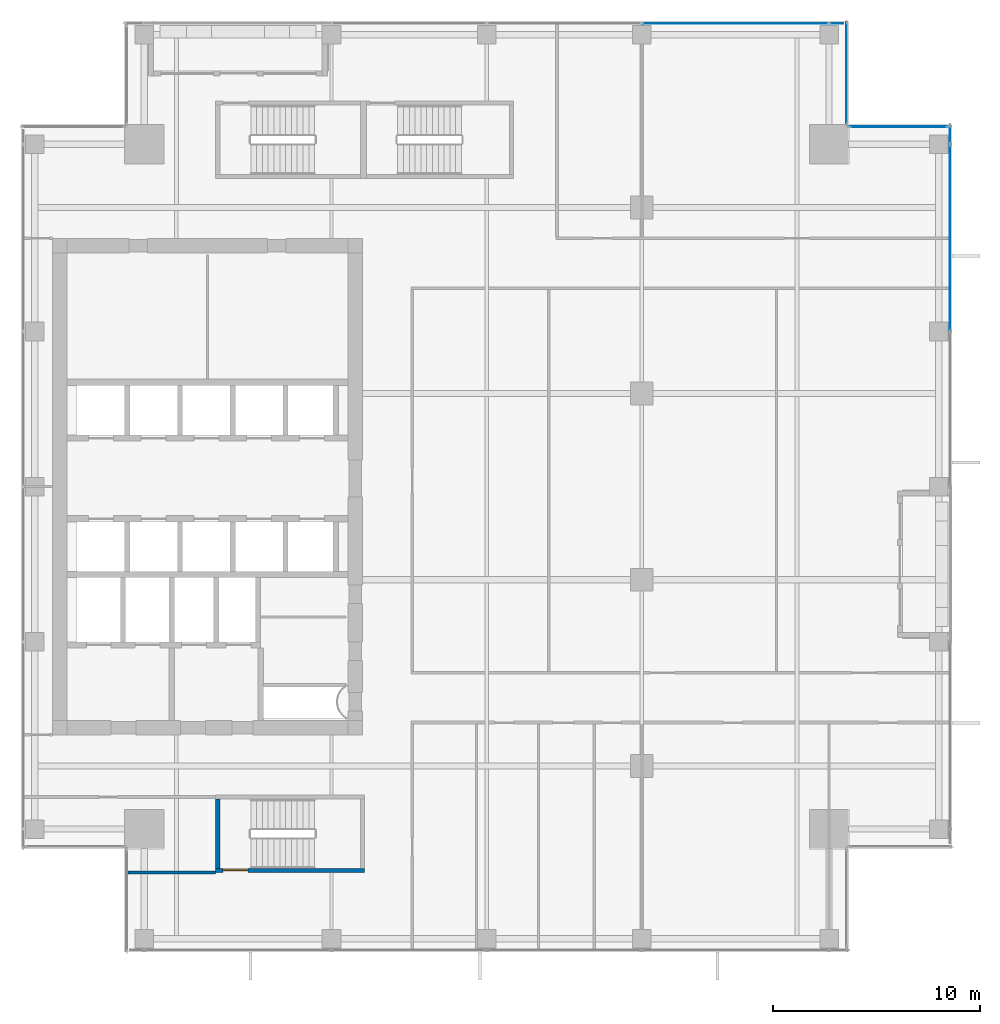
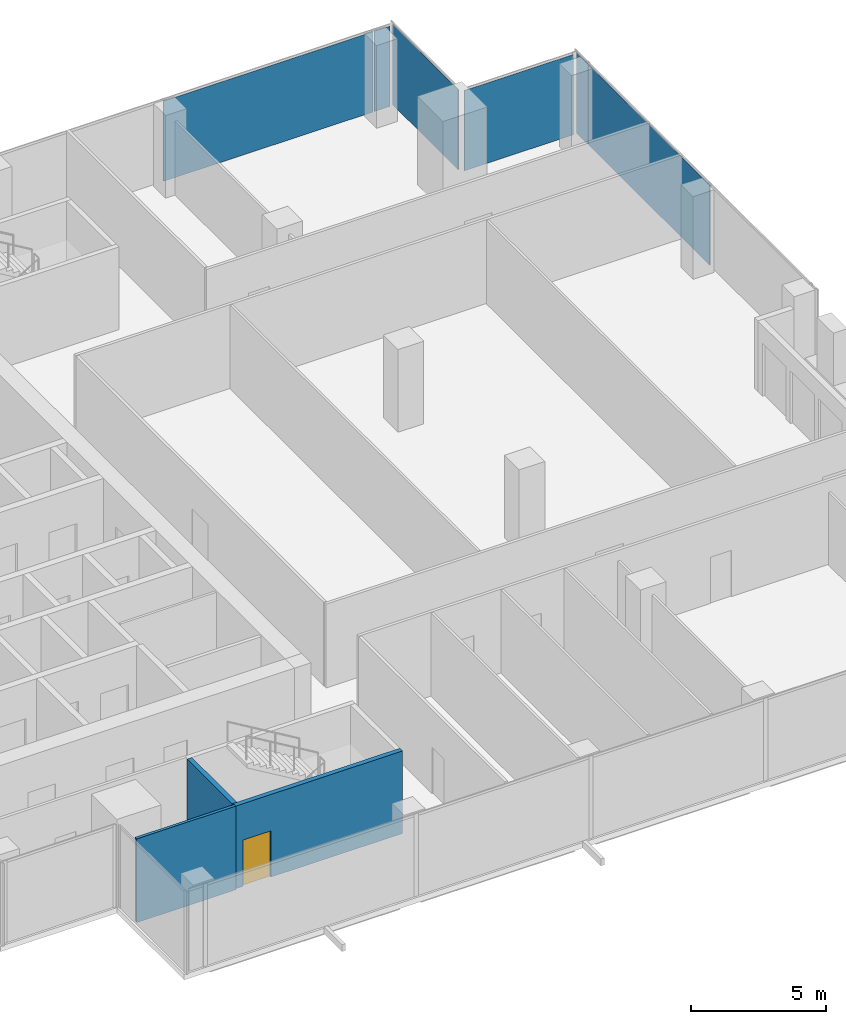
# One storey, part 30 of 36: 6 plates, 3 walls, 1 door, 1 opening, 4 elements without a shape of their own.
"""IFC4 building model written with IfcOpenShell, lengths in metres."""

import ifcopenshell
import ifcopenshell.guid

model = None  # the IFC model being written
_history = None  # IfcOwnerHistory: only IFC2X3 demands one
_inside = {}  # id of a spatial element -> (the spatial element, [elements in it])
_under = {}  # id of a project, library or spatial element -> (it, [spatial elements below it])
_declared = {}  # id of a project -> (the project, [libraries it declares])
_typed = {}  # id of a type object -> (the type object, [elements of that type])
_made_of = {}  # id of a material, layer set ... -> (it, [elements and type objects made of it])


def new_model(schema):
    """Start an empty IFC model of exactly this schema.

    Asked for "IFC4X3", IfcOpenShell would pick the latest addendum, in which some entities
    have other attributes; the version numbers below select the first issue.
    IFC2X3 requires an IfcOwnerHistory on every rooted entity: one is made here for all.
    """
    global model, _history
    if schema == "IFC4X3":
        model = ifcopenshell.file(schema_version=(4, 3, 0, 0))
    else:
        model = ifcopenshell.file(schema=schema)
    _inside.clear()
    _under.clear()
    _declared.clear()
    _typed.clear()
    _made_of.clear()
    _history = None
    if model.schema == "IFC2X3":
        org = make("IfcOrganization", Name="unknown")
        user = make(
            "IfcPersonAndOrganization",
            ThePerson=make("IfcPerson", FamilyName="unknown"),
            TheOrganization=org,
        )
        app = make(
            "IfcApplication",
            ApplicationDeveloper=org,
            Version="unknown",
            ApplicationFullName="unknown",
            ApplicationIdentifier="unknown",
        )
        _history = make(
            "IfcOwnerHistory",
            OwningUser=user,
            OwningApplication=app,
            ChangeAction="ADDED",
            CreationDate=0,
        )
    return model


def make(cls, **values):
    """One entity of the class cls with the attributes given. An attribute that is None is left unset."""
    return model.create_entity(
        cls, **{name: value for name, value in values.items() if value is not None}
    )


def rooted(cls, **values):
    """An entity with a GlobalId (a new one), such as an element, a storey or a relation."""
    return make(cls, GlobalId=ifcopenshell.guid.new(), OwnerHistory=_history, **values)


def si_unit(unit_type, name, prefix=None):
    """IfcSIUnit, for example si_unit("LENGTHUNIT", "METRE", prefix="MILLI")."""
    return make("IfcSIUnit", UnitType=unit_type, Prefix=prefix, Name=name)


def assignment(units):
    """IfcUnitAssignment: the units of a project."""
    return None if units is None else make("IfcUnitAssignment", Units=units)


def point(xyz):
    """IfcCartesianPoint."""
    return None if xyz is None else make("IfcCartesianPoint", Coordinates=xyz)


def direction(xyz):
    """IfcDirection."""
    return None if xyz is None else make("IfcDirection", DirectionRatios=xyz)


def frame(location, z_axis=None, x_axis=None):
    """IfcAxis2Placement3D, a coordinate frame: its origin and axes. An axis left out is left unset."""
    return make(
        "IfcAxis2Placement3D",
        Location=point(location),
        Axis=direction(z_axis),
        RefDirection=direction(x_axis),
    )


def frame_2d(location, x_axis=None):
    """IfcAxis2Placement2D, a coordinate frame in the plane: its origin and x axis."""
    return make(
        "IfcAxis2Placement2D", Location=point(location), RefDirection=direction(x_axis)
    )


def origin():
    """The frame at (0, 0, 0) with its axes left unset."""
    return frame((0.0, 0.0, 0.0))


def origin_2d():
    """The frame at (0, 0) in the plane with its x axis left unset."""
    return frame_2d((0.0, 0.0))


def place(relative_to, where):
    """IfcLocalPlacement: puts the frame where relative to a parent placement (None: the world)."""
    return make(
        "IfcLocalPlacement", PlacementRelTo=relative_to, RelativePlacement=where
    )


def context(
    kind, dimensions, precision=None, world=None, true_north=None, identifier=None
):
    """IfcGeometricRepresentationContext, for example the 3D "Model" context."""
    return make(
        "IfcGeometricRepresentationContext",
        ContextIdentifier=identifier,
        ContextType=kind,
        CoordinateSpaceDimension=dimensions,
        Precision=precision,
        WorldCoordinateSystem=world,
        TrueNorth=true_north,
    )


def subcontext(parent, identifier, kind, view, scale=None):
    """IfcGeometricRepresentationSubContext, for example "Body" below "Model"."""
    return make(
        "IfcGeometricRepresentationSubContext",
        ContextIdentifier=identifier,
        ContextType=kind,
        ParentContext=parent,
        TargetScale=scale,
        TargetView=view,
    )


def project(units=None, contexts=None):
    """IfcProject with its units and contexts."""
    return rooted(
        "IfcProject",
        Name="project",
        RepresentationContexts=contexts,
        UnitsInContext=assignment(units),
    )


def spatial(cls, under=None, at=None, **own):
    """A site, building, storey or space (cls), placed at a placement, below another one or the project."""
    s = rooted(cls, ObjectPlacement=at, **own)
    if under is not None:
        _under.setdefault(under.id(), (under, []))[1].append(s)
    return s


def profile(cls, at=None, kind="AREA", **sizes):
    """A parametric profile (cls). Its sizes go by their IFC names, for example OverallWidth=200.0."""
    return make(cls, ProfileType=kind, Position=at, **sizes)


def rectangle(**sizes):
    """IfcRectangleProfileDef."""
    return profile("IfcRectangleProfileDef", **sizes)


def extrude(swept, where, along, depth):
    """IfcExtrudedAreaSolid: the profile swept, set in the frame where, extruded along a direction by depth."""
    return make(
        "IfcExtrudedAreaSolid",
        SweptArea=swept,
        Position=where,
        ExtrudedDirection=direction(along),
        Depth=depth,
    )


def shape(context_of_items, identifier, shape_type, items):
    """IfcShapeRepresentation: the items that make up one representation, for example the "Body"."""
    return make(
        "IfcShapeRepresentation",
        ContextOfItems=context_of_items,
        RepresentationIdentifier=identifier,
        RepresentationType=shape_type,
        Items=items,
    )


def source(mapping_origin, context_of_items, identifier, shape_type, items):
    """IfcRepresentationMap: a shape defined once, which mapped items show again and again."""
    return make(
        "IfcRepresentationMap",
        MappingOrigin=mapping_origin,
        MappedRepresentation=shape(context_of_items, identifier, shape_type, items),
    )


def transform(
    local_origin,
    x_axis=None,
    y_axis=None,
    z_axis=None,
    scale=None,
    scale2=None,
    scale3=None,
    uniform=True,
):
    """IfcCartesianTransformationOperator3D, or its non-uniform kind. x_axis, y_axis, z_axis: its Axis1, 2, 3."""
    if uniform:
        return make(
            "IfcCartesianTransformationOperator3D",
            Axis1=direction(x_axis),
            Axis2=direction(y_axis),
            LocalOrigin=point(local_origin),
            Scale=scale,
            Axis3=direction(z_axis),
        )
    return make(
        "IfcCartesianTransformationOperator3DnonUniform",
        Axis1=direction(x_axis),
        Axis2=direction(y_axis),
        LocalOrigin=point(local_origin),
        Scale=scale,
        Axis3=direction(z_axis),
        Scale2=scale2,
        Scale3=scale3,
    )


def mapped(mapping_source, mapping_target):
    """IfcMappedItem: shows the shape of a source again, moved by a transform."""
    return make(
        "IfcMappedItem", MappingSource=mapping_source, MappingTarget=mapping_target
    )


def material(Name=None, Category=None):
    """IfcMaterial."""
    return make("IfcMaterial", Name=Name, Category=Category)


def layer(
    of_material, thickness, ventilated=None, Name=None, Category=None, Priority=None
):
    """IfcMaterialLayer: one layer of a wall or slab, of a material (None: an air gap)."""
    return make(
        "IfcMaterialLayer",
        Material=of_material,
        LayerThickness=thickness,
        IsVentilated=ventilated,
        Name=Name,
        Category=Category,
        Priority=Priority,
    )


def layer_set(layers, Name=None):
    """IfcMaterialLayerSet."""
    return make("IfcMaterialLayerSet", MaterialLayers=layers, LayerSetName=Name)


def made_of(thing, what):
    """Note that an element or type object is made of a material, layer set ...; save() writes the relation."""
    if what is not None:
        _made_of.setdefault(what.id(), (what, []))[1].append(thing)
    return thing


def type_object(cls, material=None, **own):
    """A type object (cls), such as IfcWallType, which elements share."""
    return made_of(rooted(cls, **own), material)


def element(
    cls,
    number,
    at=None,
    inside=None,
    cuts=None,
    type_object=None,
    material=None,
    context=None,
    identifier="Body",
    shape_type=None,
    held_by="IfcProductDefinitionShape",
    body=None,
    shapes=None,
    **own,
):
    """One element of the class cls, such as IfcWall. Its Tag is "e" and its number.

    at: its placement. inside: the storey or other place that contains it. cuts: it is an
    opening in that element (IfcRelVoidsElement). A single representation is given by context,
    identifier, shape_type and body (its items); several are given by shapes. held_by: the class
    of the entity that holds the representations. save() writes the other relations.
    """
    e = rooted(cls, Tag="e%d" % number, ObjectPlacement=at, **own)
    if body is not None:
        shapes = [shape(context, identifier, shape_type, body)]
    if shapes is not None:
        e.Representation = make(held_by, Representations=shapes)
    if inside is not None:
        _inside.setdefault(inside.id(), (inside, []))[1].append(e)
    if cuts is not None:
        rooted(
            "IfcRelVoidsElement", RelatingBuildingElement=cuts, RelatedOpeningElement=e
        )
    if type_object is not None:
        _typed.setdefault(type_object.id(), (type_object, []))[1].append(e)
    return made_of(e, material)


def fill(opening, filler):
    """IfcRelFillsElement: the door or window that sits in an opening."""
    return rooted(
        "IfcRelFillsElement",
        RelatingOpeningElement=opening,
        RelatedBuildingElement=filler,
    )


def aggregate(whole, parts):
    """IfcRelAggregates: a whole, such as a stair, and the parts it consists of."""
    return rooted("IfcRelAggregates", RelatingObject=whole, RelatedObjects=parts)


def save(model, path):
    """Write the relations noted so far, then the file.

    IfcRelAggregates (storeys below a building ...), IfcRelContainedInSpatialStructure (elements
    in a storey), IfcRelDefinesByType, IfcRelAssociatesMaterial and IfcRelDeclares: one each for
    every whole, place, type object, material and project.
    """
    for whole, parts in _under.values():
        aggregate(whole, parts)
    for where, things in _inside.values():
        rooted(
            "IfcRelContainedInSpatialStructure",
            RelatedElements=things,
            RelatingStructure=where,
        )
    for kind, things in _typed.values():
        rooted("IfcRelDefinesByType", RelatedObjects=things, RelatingType=kind)
    for what, things in _made_of.values():
        rooted("IfcRelAssociatesMaterial", RelatedObjects=things, RelatingMaterial=what)
    for by, libraries in _declared.values():
        rooted("IfcRelDeclares", RelatingContext=by, RelatedDefinitions=libraries)
    model.write(path)


model = new_model("IFC4")

# Units and contexts
model_context = context("Model", 3, precision=1e-05, world=origin(), true_north=direction((0.0, 1.0)))
body_context = subcontext(model_context, "Body", "Model", "MODEL_VIEW")
ifc_project = project(units=[si_unit("LENGTHUNIT", "METRE"), si_unit("AREAUNIT", "SQUARE_METRE"), si_unit("VOLUMEUNIT", "CUBIC_METRE"), si_unit("PLANEANGLEUNIT", "RADIAN"), si_unit("MASSUNIT", "GRAM", prefix="KILO")], contexts=[model_context])

# Site, building, storey
site_placement = place(None, origin())
site = spatial("IfcSite", under=ifc_project, at=site_placement, CompositionType="ELEMENT")
building_placement = place(site_placement, origin())
building = spatial("IfcBuilding", under=site, at=building_placement, Name="Khomas Fold Tower", CompositionType="ELEMENT")
storey_placement = place(building_placement, frame((0.0, 0.0, 230.199951171875)))
storey = spatial("IfcBuildingStorey", under=building, at=storey_placement, Name="L51", CompositionType="ELEMENT", Elevation=230.199951171875)

# Curtain wall, plate
ifc_material_1 = material(Name="Aluminium framed double glazing", Category="aluminium")
curtain_wall_type = type_object("IfcCurtainWallType", Name="SK-Unitised clear-glass wall, office floors CW2", PredefinedType="NOTDEFINED", material=ifc_material_1)
curtain_wall_1_placement = place(storey_placement, origin())
curtain_wall_1 = element("IfcCurtainWall", 1, at=curtain_wall_1_placement, inside=storey, type_object=curtain_wall_type, Name="CW2 run L51 06-0", PredefinedType="NOTDEFINED")
ifc_material_2 = material(Name="Clear double glazed unit")
ifc_layer_1 = layer(ifc_material_2, 0.030029296875)
ifc_layer_set_1 = layer_set([ifc_layer_1], Name="Clear double glazed unit")
plate_type = type_object("IfcPlateType", Name="SK-Unitised clear-glass wall, office floors glass panel CW2-P", PredefinedType="CURTAIN_PANEL", material=ifc_layer_set_1)
shared_shape_1 = source(origin(), body_context, "Body", "SweptSolid", [
    extrude(rectangle(XDim=0.659912109375, YDim=0.030029296875, at=origin_2d()), origin(), (0.0, 0.0, 1.0), 3.639892578125),
])
plate_1_placement = place(storey_placement, frame((43.909912109375, 49.39990234375, 0.0), z_axis=(0.0, 0.0, 1.0), x_axis=(-1.0, 0.0, 0.0)))
plate_1 = element("IfcPlate", 2, at=plate_1_placement, type_object=plate_type, Name="CW2 glass panel 1", PredefinedType="CURTAIN_PANEL", context=body_context, shape_type="MappedRepresentation", body=[
    mapped(shared_shape_1, transform((0.0, 0.0, 0.0))),
])

# Curtain wall, plates
curtain_wall_2_placement = place(storey_placement, origin())
curtain_wall_2 = element("IfcCurtainWall", 3, at=curtain_wall_2_placement, inside=storey, type_object=curtain_wall_type, Name="CW2 run L51 03-1", PredefinedType="NOTDEFINED")
shared_shape_2 = source(origin(), body_context, "Body", "SweptSolid", [
    extrude(rectangle(XDim=0.860107421875, YDim=0.030029296875, at=origin_2d()), origin(), (0.0, 0.0, 1.0), 3.639892578125),
])
plate_2_placement = place(storey_placement, frame((49.39990234375, 44.010009765625, 0.0), z_axis=(0.0, 0.0, 1.0), x_axis=(0.0, 1.0, 0.0)))
plate_2 = element("IfcPlate", 4, at=plate_2_placement, type_object=plate_type, Name="CW2 glass panel 4", PredefinedType="CURTAIN_PANEL", context=body_context, shape_type="MappedRepresentation", body=[
    mapped(shared_shape_2, transform((0.0, 0.0, 0.0))),
])
shared_shape_3 = source(origin(), body_context, "Body", "SweptSolid", [
    extrude(rectangle(XDim=8.989990234375, YDim=0.030029296875, at=origin_2d()), origin(), (0.0, 0.0, 1.0), 3.639892578125),
])
plate_3_placement = place(storey_placement, frame((49.39990234375, 39.02490234375, 0.0), z_axis=(0.0, 0.0, 1.0), x_axis=(0.0, 1.0, 0.0)))
plate_3 = element("IfcPlate", 5, at=plate_3_placement, type_object=plate_type, Name="CW2 glass panel 3", PredefinedType="CURTAIN_PANEL", context=body_context, shape_type="MappedRepresentation", body=[
    mapped(shared_shape_3, transform((0.0, 0.0, 0.0))),
])
aggregate(curtain_wall_2, [plate_3, plate_2])

# Plate
plate_4_placement = place(storey_placement, frame((39.02490234375, 49.39990234375, 0.0), z_axis=(0.0, 0.0, 1.0), x_axis=(-1.0, 0.0, 0.0)))
plate_4 = element("IfcPlate", 6, at=plate_4_placement, type_object=plate_type, Name="CW2 glass panel 2", PredefinedType="CURTAIN_PANEL", context=body_context, shape_type="MappedRepresentation", body=[
    mapped(shared_shape_3, transform((0.0, 0.0, 0.0))),
])

aggregate(curtain_wall_1, [plate_1, plate_4])

# Curtain wall, plate
curtain_wall_3_placement = place(storey_placement, origin())
curtain_wall_3 = element("IfcCurtainWall", 7, at=curtain_wall_3_placement, inside=storey, type_object=curtain_wall_type, Name="CW2 corner return L51 04", PredefinedType="NOTDEFINED")
shared_shape_4 = source(origin(), body_context, "Body", "SweptSolid", [
    extrude(rectangle(XDim=4.679931640625, YDim=0.030029296875, at=origin_2d()), origin(), (0.0, 0.0, 1.0), 3.639892578125),
])
plate_5_placement = place(storey_placement, frame((46.89990234375, 44.39990234375, 0.0), z_axis=(0.0, 0.0, 1.0), x_axis=(-1.0, 0.0, 0.0)))
plate_5 = element("IfcPlate", 8, at=plate_5_placement, type_object=plate_type, Name="CW2 glass panel 1", PredefinedType="CURTAIN_PANEL", context=body_context, shape_type="MappedRepresentation", body=[
    mapped(shared_shape_4, transform((0.0, 0.0, 0.0))),
])
aggregate(curtain_wall_3, [plate_5])

curtain_wall_4_placement = place(storey_placement, origin())
curtain_wall_4 = element("IfcCurtainWall", 9, at=curtain_wall_4_placement, inside=storey, type_object=curtain_wall_type, Name="CW2 corner return L51 05", PredefinedType="NOTDEFINED")
shared_shape_5 = source(origin(), body_context, "Body", "SweptSolid", [
    extrude(rectangle(XDim=4.8798828125, YDim=0.030029296875, at=origin_2d()), origin(), (0.0, 0.0, 1.0), 3.639892578125),
])
plate_6_placement = place(storey_placement, frame((44.39990234375, 47.0, 0.0), z_axis=(0.0, 0.0, 1.0), x_axis=(0.0, 1.0, 0.0)))
plate_6 = element("IfcPlate", 10, at=plate_6_placement, type_object=plate_type, Name="CW2 glass panel 1", PredefinedType="CURTAIN_PANEL", context=body_context, shape_type="MappedRepresentation", body=[
    mapped(shared_shape_5, transform((0.0, 0.0, 0.0))),
])
aggregate(curtain_wall_4, [plate_6])

# Wall, opening, door
ifc_material_3 = material(Name="Concrete C50/60", Category="concrete")
ifc_layer_2 = layer(ifc_material_3, 0.199951171875)
ifc_layer_set_2 = layer_set([ifc_layer_2], Name="Concrete C50/60")
wall_type_1 = type_object("IfcWallType", Name="Stair wall 200", PredefinedType="SHEAR", material=ifc_layer_set_2)
shared_shape_6 = source(origin(), body_context, "Body", "SweptSolid", [
    extrude(rectangle(XDim=7.2001953125, YDim=0.199951171875, at=frame_2d((3.60009765625, 0.0))), origin(), (0.0, 0.0, 1.0), 3.75),
])
wall_1_placement = place(storey_placement, frame((13.89990234375, 8.449951171875, 0.0), z_axis=(0.0, 0.0, 1.0), x_axis=(1.0, 0.0, 0.0)))
wall_1 = element("IfcWall", 11, at=wall_1_placement, inside=storey, type_object=wall_type_1, Name="Stair wall SW-ST2-S", PredefinedType="SHEAR", context=body_context, shape_type="MappedRepresentation", body=[
    mapped(shared_shape_6, transform((0.0, 0.0, 0.0))),
])
shared_shape_7 = source(origin(), body_context, "Body", "SweptSolid", [
    extrude(rectangle(XDim=1.199951171875, YDim=2.10009765625, at=frame_2d((0.60009765625, 1.050048828125))), frame((0.0, 0.10986328125, 0.0), z_axis=(0.0, -1.0, 0.0), x_axis=(1.0, 0.0, 0.0)), (0.0, 0.0, 1.0), 0.219970703125),
])
opening_placement = place(wall_1_placement, frame((0.35009765625, 0.0, 0.0)))
opening = element("IfcOpeningElement", 12, at=opening_placement, cuts=wall_1, Name="Opening SD-ST2", PredefinedType="OPENING", context=body_context, shape_type="MappedRepresentation", body=[
    mapped(shared_shape_7, transform((0.0, 0.0, 0.0))),
])
ifc_material_4 = material(Name="Steel door leaf", Category="steel")
door_type = type_object("IfcDoorType", Name="Stair door 1200x2100 right-hand", OperationType="SINGLE_SWING_RIGHT", PredefinedType="DOOR", material=ifc_material_4)
shared_shape_8 = source(origin(), body_context, "Body", "SweptSolid", [
    extrude(rectangle(XDim=1.199951171875, YDim=2.10009765625, at=frame_2d((0.60009765625, 1.050048828125))), frame((0.0, 0.02490234375, 0.0), z_axis=(0.0, -1.0, 0.0), x_axis=(1.0, 0.0, 0.0)), (0.0, 0.0, 1.0), 0.050048828125),
])
door_placement = place(opening_placement, origin())
door = element("IfcDoor", 13, at=door_placement, inside=storey, type_object=door_type, Name="Stair door", OperationType="SINGLE_SWING_RIGHT", OverallHeight=2.10009765625, OverallWidth=1.199951171875, PredefinedType="DOOR", context=body_context, shape_type="MappedRepresentation", body=[
    mapped(shared_shape_8, transform((0.0, 0.0, 0.0))),
])
fill(opening, door)

# Walls
shared_shape_9 = source(origin(), body_context, "Body", "SweptSolid", [
    extrude(rectangle(XDim=3.349853515625, YDim=0.199951171875, at=frame_2d((1.6748046875, 0.0))), origin(), (0.0, 0.0, 1.0), 3.75),
])
wall_2_placement = place(storey_placement, frame((14.0, 8.550048828125, 0.0), z_axis=(0.0, 0.0, 1.0), x_axis=(0.0, 1.0, 0.0)))
element("IfcWall", 14, at=wall_2_placement, inside=storey, type_object=wall_type_1, Name="Stair wall SW-ST2-W", PredefinedType="SHEAR", context=body_context, shape_type="MappedRepresentation", body=[
    mapped(shared_shape_9, transform((0.0, 0.0, 0.0))),
])
ifc_material_5 = material(Name="Plasterboard partition")
ifc_layer_3 = layer(ifc_material_5, 0.125)
ifc_layer_set_3 = layer_set([ifc_layer_3], Name="Plasterboard partition")
wall_type_2 = type_object("IfcWallType", Name="Partition PW2 125", PredefinedType="PARTITIONING", material=ifc_layer_set_3)
shared_shape_10 = source(origin(), body_context, "Body", "SweptSolid", [
    extrude(rectangle(XDim=4.25, YDim=0.125, at=frame_2d((2.125, 0.0))), origin(), (0.0, 0.0, 1.0), 3.800048828125),
])
wall_3_placement = place(storey_placement, frame((9.64990234375, 8.35009765625, 0.0), z_axis=(0.0, 0.0, 1.0), x_axis=(1.0, 0.0, 0.0)))
element("IfcWall", 15, at=wall_3_placement, inside=storey, type_object=wall_type_2, Name="Partition", PredefinedType="PARTITIONING", context=body_context, shape_type="MappedRepresentation", body=[
    mapped(shared_shape_10, transform((0.0, 0.0, 0.0))),
])

save(model, "model.ifc")
